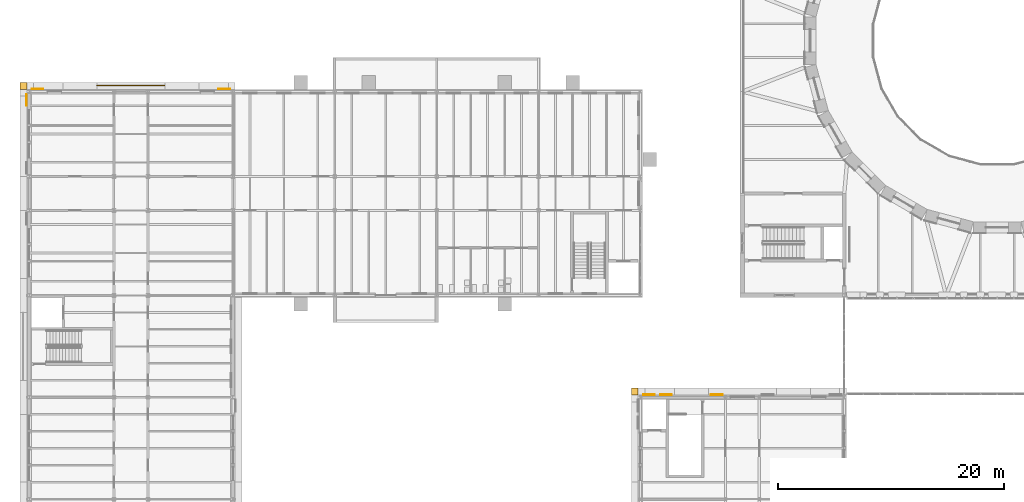
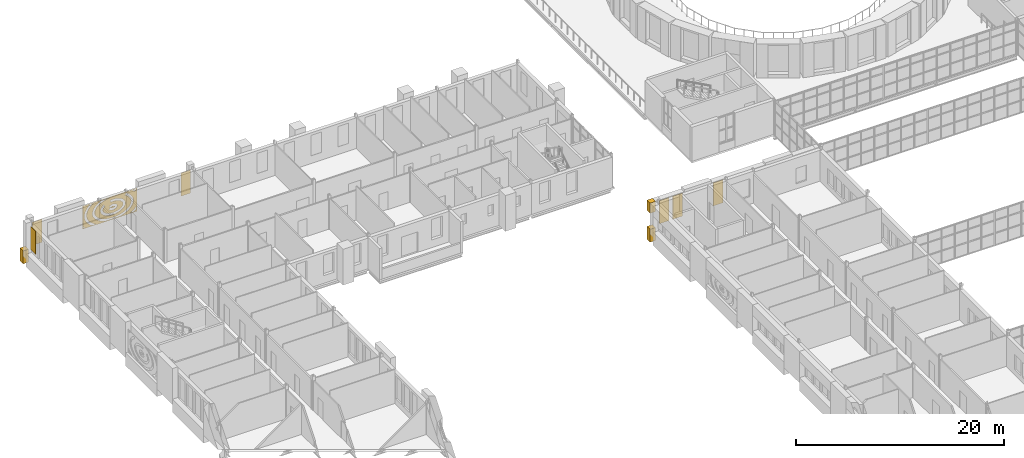
# One storey, part 143 of 154: 10 coverings.
"""IFC4 building model written with IfcOpenShell, lengths in metres."""

from ifc_helpers import new_model, si_unit, direction, frame, origin, place, context, subcontext, project, spatial, polyline, outline, extrude, material, layer, layer_set, type_object, element, save


model = new_model("IFC4")

# Units and contexts
model_context = context("Model", 3, precision=1e-05, world=origin(), true_north=direction((0.0, 1.0)))
body_context = subcontext(model_context, "Body", "Model", "MODEL_VIEW")
ifc_project = project(units=[si_unit("LENGTHUNIT", "METRE"), si_unit("AREAUNIT", "SQUARE_METRE"), si_unit("VOLUMEUNIT", "CUBIC_METRE"), si_unit("PLANEANGLEUNIT", "RADIAN"), si_unit("MASSUNIT", "GRAM", prefix="KILO")], contexts=[model_context])

# Site, building, storey
site_placement = place(None, origin())
site = spatial("IfcSite", under=ifc_project, at=site_placement, CompositionType="ELEMENT")
building_placement = place(site_placement, origin())
building = spatial("IfcBuilding", under=site, at=building_placement, Name="Golden Quay Civic Hall", CompositionType="ELEMENT")
storey_placement = place(building_placement, frame((0.0, 0.0, 14.39990234375)))
storey = spatial("IfcBuildingStorey", under=building, at=storey_placement, Name="L03", CompositionType="ELEMENT", Elevation=14.39990234375)

# Coverings
ifc_material_1 = material(Name="Aluminium, golden anodised, perforated", Category="aluminium")
ifc_layer_1 = layer(ifc_material_1, 0.0400390625)
ifc_layer_set_1 = layer_set([ifc_layer_1], Name="Perforated screen panel 6000 x 2700 x 40")
covering_type_1 = type_object("IfcCoveringType", Name="Perforated screen panel 6000 x 2700 x 40", PredefinedType="CLADDING", material=ifc_layer_set_1)
covering_1_placement = place(storey_placement, frame((9.0, 81.5, 1.9501953125), z_axis=(0.0, 1.0, 0.0), x_axis=(-1.0, 0.0, 0.0)))
element("IfcCovering", 1, at=covering_1_placement, inside=storey, type_object=covering_type_1, Name="Perforated screen panel 6000 x 2700 x 40 L03 3", PredefinedType="CLADDING", context=body_context, shape_type="SweptSolid", body=[
    extrude(outline(polyline([(-3.0, -1.35009765625), (3.0, -1.35009765625), (3.0, 1.35009765625), (-3.0, 1.35009765625), (-3.0, -1.35009765625)]), holes=[polyline([(-0.14599609375, 0.114013671875), (-0.1875, 0.140625), (-0.248291015625, 0.16259765625), (-0.321533203125, 0.173828125), (-0.372802734375, 0.17431640625), (-0.446533203125, 0.163818359375), (-0.5087890625, 0.142578125), (-0.5517578125, 0.1162109375), (-0.575439453125, 0.088134765625), (-0.577392578125, 0.07763671875), (-0.57177734375, 0.065185546875), (-0.55908203125, 0.050537109375), (-0.53662109375, 0.03271484375), (-0.485107421875, 0.007568359375), (-0.4169921875, -0.009521484375), (-0.36669921875, -0.014404296875), (-0.3154296875, -0.013427734375), (-0.26611328125, -0.006591796875), (-0.22119140625, 0.00537109375), (-0.183349609375, 0.021240234375), (-0.154296875, 0.0390625), (-0.129638671875, 0.063232421875), (-0.120361328125, 0.08154296875), (0.102294921875, -0.019287109375), (0.07421875, -0.07177734375), (0.042236328125, -0.11181640625), (-0.00390625, -0.153564453125), (-0.043701171875, -0.1806640625), (-0.1025390625, -0.210693359375), (-0.176025390625, -0.236083984375), (-0.2216796875, -0.246826171875), (-0.2998046875, -0.25732421875), (-0.372314453125, -0.2587890625), (-0.412109375, -0.25634765625), (-0.49755859375, -0.242919921875), (-0.564453125, -0.223388671875), (-0.599853515625, -0.209716796875), (-0.666015625, -0.174560546875), (-0.705078125, -0.146484375), (-0.7333984375, -0.12109375), (-0.758544921875, -0.093017578125), (-0.780517578125, -0.06201171875), (-0.798583984375, -0.0283203125), (-0.811767578125, 0.008056640625), (-0.821533203125, 0.066162109375), (-0.818359375, 0.123046875), (-0.809326171875, 0.159912109375), (-0.79541015625, 0.195068359375), (-0.777099609375, 0.227294921875), (-0.75537109375, 0.257080078125), (-0.702880859375, 0.30810546875), (-0.6416015625, 0.34912109375), (-0.572998046875, 0.38037109375), (-0.4990234375, 0.402587890625), (-0.460693359375, 0.41015625), (-0.388916015625, 0.41796875), (-0.309326171875, 0.41796875), (-0.262451171875, 0.41357421875), (-0.184814453125, 0.398681640625), (-0.118896484375, 0.37744140625), (-0.075927734375, 0.3583984375), (-0.02001953125, 0.3251953125), (0.018310546875, 0.295166015625), (0.060546875, 0.25048828125), (-0.126220703125, 0.0927734375), (-0.14599609375, 0.114013671875)]), polyline([(-0.282470703125, 0.731689453125), (-0.37158203125, 0.732666015625), (-0.460693359375, 0.7294921875), (-0.548828125, 0.72216796875), (-0.635986328125, 0.710693359375), (-0.720947265625, 0.6953125), (-0.8037109375, 0.676025390625), (-0.883544921875, 0.653076171875), (-0.9599609375, 0.62646484375), (-1.0322265625, 0.596435546875), (-1.100341796875, 0.5634765625), (-1.163330078125, 0.52783203125), (-1.22119140625, 0.48974609375), (-1.273681640625, 0.449462890625), (-1.320068359375, 0.40771484375), (-1.360595703125, 0.364501953125), (-1.394775390625, 0.32080078125), (-1.423095703125, 0.2763671875), (-1.445068359375, 0.231689453125), (-1.46142578125, 0.1875), (-1.471923828125, 0.143310546875), (-1.47705078125, 0.099365234375), (-1.476806640625, 0.055419921875), (-1.470947265625, 0.011474609375), (-1.459716796875, -0.03271484375), (-1.44287109375, -0.0771484375), (-1.419921875, -0.12158203125), (-1.39111328125, -0.166015625), (-1.356201171875, -0.209716796875), (-1.31494140625, -0.252685546875), (-1.267578125, -0.294189453125), (-1.214599609375, -0.334228515625), (-1.15625, -0.372314453125), (-1.092529296875, -0.40771484375), (-1.02392578125, -0.440185546875), (-0.951171875, -0.4697265625), (-0.874267578125, -0.49609375), (-0.794189453125, -0.5185546875), (-0.711181640625, -0.53759765625), (-0.625732421875, -0.552490234375), (-0.53857421875, -0.563232421875), (-0.4501953125, -0.570068359375), (-0.361083984375, -0.57275390625), (-0.27197265625, -0.5712890625), (-0.183349609375, -0.5654296875), (-0.095703125, -0.555419921875), (-0.010009765625, -0.54150390625), (0.07373046875, -0.523681640625), (0.15478515625, -0.501953125), (0.232421875, -0.4765625), (0.306396484375, -0.447998046875), (0.3759765625, -0.416015625), (0.44091796875, -0.381103515625), (0.500732421875, -0.343994140625), (0.55517578125, -0.304443359375), (0.603759765625, -0.26318359375), (0.646484375, -0.220458984375), (0.68310546875, -0.1767578125), (0.71337890625, -0.132568359375), (0.73779296875, -0.088134765625), (0.756103515625, -0.043701171875), (0.768798828125, 0.00048828125), (0.77587890625, 0.04443359375), (0.777587890625, 0.08837890625), (0.773681640625, 0.13232421875), (0.764404296875, 0.176513671875), (0.749755859375, 0.220703125), (0.72900390625, 0.265380859375), (0.702392578125, 0.309814453125), (0.669677734375, 0.353759765625), (0.630615234375, 0.39697265625), (0.585693359375, 0.439208984375), (0.53125, 0.482666015625), (0.683837890625, 0.673583984375), (0.741943359375, 0.627197265625), (0.8017578125, 0.57177734375), (0.855224609375, 0.512939453125), (0.902099609375, 0.45068359375), (0.94189453125, 0.385498046875), (0.974365234375, 0.317626953125), (0.99853515625, 0.247314453125), (1.014404296875, 0.175048828125), (1.021484375, 0.101806640625), (1.019775390625, 0.02783203125), (1.0087890625, -0.04541015625), (0.9892578125, -0.117431640625), (0.9609375, -0.187744140625), (0.9248046875, -0.25537109375), (0.881103515625, -0.320068359375), (0.830322265625, -0.381591796875), (0.765625, -0.4462890625), (0.702392578125, -0.49951171875), (0.640869140625, -0.544189453125), (0.559814453125, -0.5947265625), (0.481201171875, -0.63671875), (0.398193359375, -0.67431640625), (0.311279296875, -0.7080078125), (0.227294921875, -0.7353515625), (0.1279296875, -0.761962890625), (0.0322265625, -0.7822265625), (-0.0654296875, -0.798095703125), (-0.16455078125, -0.80908203125), (-0.264892578125, -0.8154296875), (-0.359619140625, -0.817138671875), (-0.460205078125, -0.814208984375), (-0.56005859375, -0.806884765625), (-0.658935546875, -0.79443359375), (-0.76220703125, -0.776611328125), (-0.851318359375, -0.756103515625), (-0.94384765625, -0.730224609375), (-1.033203125, -0.699951171875), (-1.119140625, -0.665283203125), (-1.2080078125, -0.623046875), (-1.278564453125, -0.583740234375), (-1.351318359375, -0.537109375), (-1.426025390625, -0.480712890625), (-1.48046875, -0.4326171875), (-1.536376953125, -0.374755859375), (-1.585693359375, -0.31396484375), (-1.628173828125, -0.249755859375), (-1.663330078125, -0.182861328125), (-1.690673828125, -0.11328125), (-1.709716796875, -0.041748046875), (-1.72021484375, 0.031494140625), (-1.720703125, 0.1201171875), (-1.71142578125, 0.193115234375), (-1.697509765625, 0.251220703125), (-1.67236328125, 0.322265625), (-1.638916015625, 0.390869140625), (-1.597900390625, 0.456787109375), (-1.5498046875, 0.519287109375), (-1.494873046875, 0.57861328125), (-1.43359375, 0.63427734375), (-1.359619140625, 0.69140625), (-1.287353515625, 0.738525390625), (-1.21044921875, 0.78173828125), (-1.12890625, 0.821044921875), (-1.043701171875, 0.856201171875), (-0.95458984375, 0.886962890625), (-0.8623046875, 0.913330078125), (-0.767578125, 0.935302734375), (-0.670654296875, 0.952880859375), (-0.572021484375, 0.965576171875), (-0.477783203125, 0.973388671875), (-0.377197265625, 0.97705078125), (-0.276611328125, 0.975830078125), (-0.176513671875, 0.97021484375), (-0.0771484375, 0.959716796875), (-0.103271484375, 0.716552734375), (-0.19384765625, 0.726318359375), (-0.282470703125, 0.731689453125)]), polyline([(-1.8857421875, 0.8662109375), (-1.9677734375, 0.805419921875), (-2.04248046875, 0.741943359375), (-2.110107421875, 0.676025390625), (-2.17041015625, 0.6083984375), (-2.222900390625, 0.539306640625), (-2.267822265625, 0.46875), (-2.304931640625, 0.3974609375), (-2.33447265625, 0.32568359375), (-2.356201171875, 0.25341796875), (-2.370361328125, 0.180908203125), (-2.377197265625, 0.1083984375), (-2.376220703125, 0.035888671875), (-2.367919921875, -0.03662109375), (-2.35205078125, -0.109130859375), (-2.32861328125, -0.181396484375), (-2.297607421875, -0.2529296875), (-2.2587890625, -0.32421875), (-2.212158203125, -0.394287109375), (-2.157958984375, -0.46337890625), (-2.09619140625, -0.530517578125), (-2.02685546875, -0.595947265625), (-1.950439453125, -0.65869140625), (-1.8671875, -0.718994140625), (-1.777099609375, -0.776123046875), (-1.68115234375, -0.829833984375), (-1.5791015625, -0.8798828125), (-1.471923828125, -0.92578125), (-1.359619140625, -0.9677734375), (-1.2431640625, -1.00537109375), (-1.12255859375, -1.0380859375), (-0.998779296875, -1.066162109375), (-0.8720703125, -1.08935546875), (-0.7431640625, -1.107421875), (-0.612548828125, -1.120361328125), (-0.480712890625, -1.128173828125), (-0.348388671875, -1.130859375), (-0.216064453125, -1.128173828125), (-0.084228515625, -1.1201171875), (0.04638671875, -1.107177734375), (0.17529296875, -1.0888671875), (0.302001953125, -1.065673828125), (0.42578125, -1.037353515625), (0.546142578125, -1.00439453125), (0.66259765625, -0.966796875), (0.774658203125, -0.9248046875), (0.8818359375, -0.878662109375), (0.9833984375, -0.82861328125), (1.07958984375, -0.774658203125), (1.169189453125, -0.717529296875), (1.25244140625, -0.6572265625), (1.32861328125, -0.59423828125), (1.397705078125, -0.52880859375), (1.45947265625, -0.461669921875), (1.513427734375, -0.392578125), (1.559814453125, -0.322509765625), (1.598388671875, -0.251220703125), (1.62939453125, -0.179443359375), (1.652587890625, -0.107421875), (1.668212890625, -0.034912109375), (1.676513671875, 0.03759765625), (1.677001953125, 0.110107421875), (1.670166015625, 0.1826171875), (1.65576171875, 0.255126953125), (1.6337890625, 0.327392578125), (1.604248046875, 0.3994140625), (1.56689453125, 0.470458984375), (1.521728515625, 0.541015625), (1.468994140625, 0.610107421875), (1.40869140625, 0.677734375), (1.3408203125, 0.743408203125), (1.265625, 0.806884765625), (1.18359375, 0.86767578125), (1.094970703125, 0.92529296875), (1.0, 0.979736328125), (0.899169921875, 1.030517578125), (0.79296875, 1.077392578125), (0.681640625, 1.1201171875), (0.56591796875, 1.158447265625), (0.446044921875, 1.192138671875), (0.322998046875, 1.22119140625), (0.19677734375, 1.245361328125), (0.068115234375, 1.264404296875), (-0.062255859375, 1.2783203125), (-0.19384765625, 1.287109375), (-0.300537109375, 1.2900390625), (0.91650390625, 1.2900390625), (1.00634765625, 1.250244140625), (1.11865234375, 1.193359375), (1.219482421875, 1.1357421875), (1.320068359375, 1.0703125), (1.414306640625, 1.0009765625), (1.501708984375, 0.927490234375), (1.581787109375, 0.85009765625), (1.654541015625, 0.769287109375), (1.71923828125, 0.685302734375), (1.775634765625, 0.597900390625), (1.827880859375, 0.49755859375), (1.862060546875, 0.4150390625), (1.891357421875, 0.3203125), (1.9111328125, 0.22412109375), (1.9208984375, 0.126953125), (1.919921875, 0.0166015625), (1.908447265625, -0.080322265625), (1.88720703125, -0.176513671875), (1.856201171875, -0.270751953125), (1.82080078125, -0.35302734375), (1.7666015625, -0.45263671875), (1.708984375, -0.53955078125), (1.642822265625, -0.623291015625), (1.56884765625, -0.70361328125), (1.49365234375, -0.774658203125), (1.39892578125, -0.852783203125), (1.3037109375, -0.921630859375), (1.2021484375, -0.986083984375), (1.094482421875, -1.04638671875), (0.981201171875, -1.101806640625), (0.863037109375, -1.152587890625), (0.740234375, -1.198486328125), (0.61328125, -1.239501953125), (0.4169921875, -1.2900390625), (-1.1171875, -1.2900390625), (-1.31005859375, -1.240478515625), (-1.437255859375, -1.19970703125), (-1.56005859375, -1.15380859375), (-1.678466796875, -1.103271484375), (-1.791748046875, -1.0478515625), (-1.8994140625, -0.98779296875), (-2.001220703125, -0.92333984375), (-2.0966796875, -0.854736328125), (-2.185302734375, -0.781982421875), (-2.26708984375, -0.705322265625), (-2.341064453125, -0.625244140625), (-2.4130859375, -0.53369140625), (-2.46533203125, -0.454833984375), (-2.514892578125, -0.365234375), (-2.555419921875, -0.273193359375), (-2.58642578125, -0.1787109375), (-2.610107421875, -0.070556640625), (-2.62060546875, 0.02685546875), (-2.62109375, 0.12451171875), (-2.611328125, 0.2216796875), (-2.592041015625, 0.318115234375), (-2.56298828125, 0.41259765625), (-2.5244140625, 0.50537109375), (-2.476806640625, 0.595703125), (-2.426513671875, 0.6748046875), (-2.356201171875, 0.767333984375), (-2.28369140625, 0.848388671875), (-2.203857421875, 0.925537109375), (-2.11669921875, 0.999267578125), (-2.0224609375, 1.068603515625), (-1.922119140625, 1.134033203125), (-1.8212890625, 1.19189453125), (-1.69970703125, 0.97998046875), (-1.79736328125, 0.923828125), (-1.8857421875, 0.8662109375)]), polyline([(-2.93994140625, -0.73876953125), (-2.83935546875, -0.84619140625), (-2.750732421875, -0.927490234375), (-2.65478515625, -1.00634765625), (-2.55126953125, -1.081787109375), (-2.44091796875, -1.154052734375), (-2.32373046875, -1.22265625), (-2.19482421875, -1.2900390625), (-2.6796875, -1.2900390625), (-2.69287109375, -1.281005859375), (-2.806884765625, -1.197509765625), (-2.93994140625, -1.085693359375), (-2.93994140625, -0.73876953125)]), polyline([(1.564697265625, -1.254638671875), (1.684814453125, -1.187744140625), (1.798583984375, -1.1171875), (1.905517578125, -1.043212890625), (2.005126953125, -0.966064453125), (2.097412109375, -0.885986328125), (2.18212890625, -0.80322265625), (2.2587890625, -0.718017578125), (2.327392578125, -0.631103515625), (2.387939453125, -0.542236328125), (2.43994140625, -0.4521484375), (2.48388671875, -0.361083984375), (2.519287109375, -0.268798828125), (2.546142578125, -0.176513671875), (2.56494140625, -0.08349609375), (2.5751953125, 0.010009765625), (2.577392578125, 0.103271484375), (2.5712890625, 0.196533203125), (2.556640625, 0.28955078125), (2.533935546875, 0.38232421875), (2.502685546875, 0.474853515625), (2.463134765625, 0.56640625), (2.4150390625, 0.656982421875), (2.35888671875, 0.74658203125), (2.294189453125, 0.83447265625), (2.2216796875, 0.920654296875), (2.14111328125, 1.004638671875), (2.052490234375, 1.086181640625), (1.95654296875, 1.164794921875), (1.853271484375, 1.240478515625), (1.77783203125, 1.2900390625), (2.189208984375, 1.2900390625), (2.314697265625, 1.176513671875), (2.406005859375, 1.081298828125), (2.489013671875, 0.982421875), (2.55859375, 0.8876953125), (2.62451171875, 0.783203125), (2.681396484375, 0.676513671875), (2.72900390625, 0.567138671875), (2.76708984375, 0.455810546875), (2.79541015625, 0.343017578125), (2.814697265625, 0.218017578125), (2.822021484375, 0.103271484375), (2.81884765625, -0.01171875), (2.8056640625, -0.126220703125), (2.784912109375, -0.229736328125), (2.75244140625, -0.34228515625), (2.710205078125, -0.453369140625), (2.65380859375, -0.570556640625), (2.59228515625, -0.676025390625), (2.52197265625, -0.779052734375), (2.443115234375, -0.878662109375), (2.355712890625, -0.97509765625), (2.260498046875, -1.068115234375), (2.162841796875, -1.15283203125), (2.052490234375, -1.238525390625), (1.978515625, -1.2900390625), (1.493408203125, -1.2900390625), (1.564697265625, -1.254638671875)]), polyline([(-2.478271484375, 1.2900390625), (-2.603515625, 1.20458984375), (-2.703369140625, 1.127685546875), (-2.798583984375, 1.045166015625), (-2.93994140625, 1.208251953125), (-2.93994140625, 1.245849609375), (-2.88916015625, 1.2900390625), (-2.478271484375, 1.2900390625)]), polyline([(2.835693359375, -1.205322265625), (2.9345703125, -1.110107421875), (2.93994140625, -1.104248046875), (2.93994140625, -1.2900390625), (2.73779296875, -1.2900390625), (2.835693359375, -1.205322265625)])]), origin(), (0.0, 0.0, 1.0), 0.0400390625),
])
ifc_material_2 = material(Name="Terracotta cladding, golden glaze", Category="masonry")
ifc_layer_2 = layer(ifc_material_2, 0.050048828125)
ifc_layer_set_2 = layer_set([ifc_layer_2], Name="Terracotta solid panel 1050 x 2700 x 50")
covering_type_2 = type_object("IfcCoveringType", Name="Terracotta solid panel 1050 x 2700 x 50", PredefinedType="CLADDING", material=ifc_layer_set_2)
covering_2_placement = place(storey_placement, frame((0.0, 0.0, 0.900146484375)))
element("IfcCovering", 2, at=covering_2_placement, inside=storey, type_object=covering_type_2, Name="Terracotta solid panel 1050 x 2700 x 50 L03 4", PredefinedType="CLADDING", context=body_context, shape_type="SweptSolid", body=[
    extrude(outline(polyline([(-0.199951171875, 79.72509765625), (-0.199951171875, 80.77490234375), (-0.25, 80.77490234375), (-0.25, 79.72509765625), (-0.199951171875, 79.72509765625)])), origin(), (0.0, 0.0, 1.0), 2.699951171875),
])
covering_3_placement = place(storey_placement, frame((0.0, 0.0, 0.900146484375)))
element("IfcCovering", 3, at=covering_3_placement, inside=storey, type_object=covering_type_2, Name="Terracotta solid panel 1050 x 2700 x 50 L03 5", PredefinedType="CLADDING", context=body_context, shape_type="SweptSolid", body=[
    extrude(outline(polyline([(0.22509765625, 81.199951171875), (1.27490234375, 81.199951171875), (1.27490234375, 81.25), (0.22509765625, 81.25), (0.22509765625, 81.199951171875)])), origin(), (0.0, 0.0, 1.0), 2.699951171875),
])
covering_4_placement = place(storey_placement, frame((0.0, 0.0, 0.900146484375)))
element("IfcCovering", 4, at=covering_4_placement, inside=storey, type_object=covering_type_2, Name="Terracotta solid panel 1050 x 2700 x 50 L03 6", PredefinedType="CLADDING", context=body_context, shape_type="SweptSolid", body=[
    extrude(outline(polyline([(16.72509765625, 81.199951171875), (17.77490234375, 81.199951171875), (17.77490234375, 81.25), (16.72509765625, 81.25), (16.72509765625, 81.199951171875)])), origin(), (0.0, 0.0, 1.0), 2.699951171875),
])
covering_5_placement = place(storey_placement, frame((0.0, 0.0, 0.900146484375)))
element("IfcCovering", 5, at=covering_5_placement, inside=storey, type_object=covering_type_2, Name="Terracotta solid panel 1050 x 2700 x 50 L03 15", PredefinedType="CLADDING", context=body_context, shape_type="SweptSolid", body=[
    extrude(outline(polyline([(54.22509765625, 54.199951171875), (55.27490234375, 54.199951171875), (55.27490234375, 54.25), (54.22509765625, 54.25), (54.22509765625, 54.199951171875)])), origin(), (0.0, 0.0, 1.0), 2.699951171875),
])
covering_6_placement = place(storey_placement, frame((0.0, 0.0, 0.900146484375)))
element("IfcCovering", 6, at=covering_6_placement, inside=storey, type_object=covering_type_2, Name="Terracotta solid panel 1050 x 2700 x 50 L03 16", PredefinedType="CLADDING", context=body_context, shape_type="SweptSolid", body=[
    extrude(outline(polyline([(55.72509765625, 54.199951171875), (56.77490234375, 54.199951171875), (56.77490234375, 54.25), (55.72509765625, 54.25), (55.72509765625, 54.199951171875)])), origin(), (0.0, 0.0, 1.0), 2.699951171875),
])
covering_7_placement = place(storey_placement, frame((0.0, 0.0, 0.900146484375)))
element("IfcCovering", 7, at=covering_7_placement, inside=storey, type_object=covering_type_2, Name="Terracotta solid panel 1050 x 2700 x 50 L03 17", PredefinedType="CLADDING", context=body_context, shape_type="SweptSolid", body=[
    extrude(outline(polyline([(60.22509765625, 54.199951171875), (61.27490234375, 54.199951171875), (61.27490234375, 54.25), (60.22509765625, 54.25), (60.22509765625, 54.199951171875)])), origin(), (0.0, 0.0, 1.0), 2.699951171875),
])
ifc_material_3 = material(Name="Terracotta cladding, golden glaze", Category="masonry")
covering_type_3 = type_object("IfcCoveringType", Name="Terracotta spandrel fascia 600 x 1200", PredefinedType="CLADDING", material=ifc_material_3)
covering_8_placement = place(storey_placement, frame((0.0, 0.0, 2.47998046875)))
element("IfcCovering", 8, at=covering_8_placement, inside=storey, type_object=covering_type_3, Name="Terracotta spandrel fascia 600 x 1200 L03 1", PredefinedType="CLADDING", context=body_context, shape_type="SweptSolid", body=[
    extrude(outline(polyline([(53.199951171875, 54.199951171875), (53.199951171875, 54.800048828125), (53.800048828125, 54.800048828125), (53.800048828125, 54.199951171875), (53.199951171875, 54.199951171875)])), origin(), (0.0, 0.0, 1.0), 1.2001953125),
])
ifc_material_4 = material(Name="Terracotta cladding, golden glaze", Category="masonry")
covering_type_4 = type_object("IfcCoveringType", Name="Terracotta spandrel fascia 600 x 1500", PredefinedType="CLADDING", material=ifc_material_4)
covering_9_placement = place(storey_placement, frame((0.0, 0.0, -0.89990234375)))
element("IfcCovering", 9, at=covering_9_placement, inside=storey, type_object=covering_type_4, Name="Terracotta spandrel fascia 600 x 1500 L03 1", PredefinedType="CLADDING", context=body_context, shape_type="SweptSolid", body=[
    extrude(outline(polyline([(-0.800048828125, 81.199951171875), (-0.800048828125, 81.800048828125), (-0.199951171875, 81.800048828125), (-0.199951171875, 81.199951171875), (-0.800048828125, 81.199951171875)])), origin(), (0.0, 0.0, 1.0), 1.5),
])
covering_10_placement = place(storey_placement, frame((0.0, 0.0, -0.89990234375)))
element("IfcCovering", 10, at=covering_10_placement, inside=storey, type_object=covering_type_4, Name="Terracotta spandrel fascia 600 x 1500 L03 5", PredefinedType="CLADDING", context=body_context, shape_type="SweptSolid", body=[
    extrude(outline(polyline([(53.199951171875, 54.199951171875), (53.199951171875, 54.800048828125), (53.800048828125, 54.800048828125), (53.800048828125, 54.199951171875), (53.199951171875, 54.199951171875)])), origin(), (0.0, 0.0, 1.0), 1.5),
])

save(model, "model.ifc")
